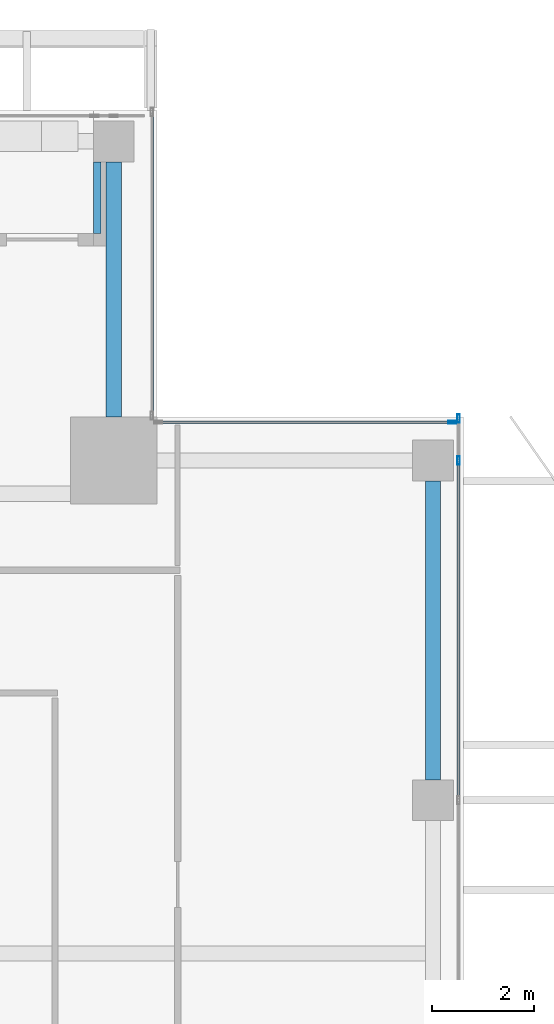
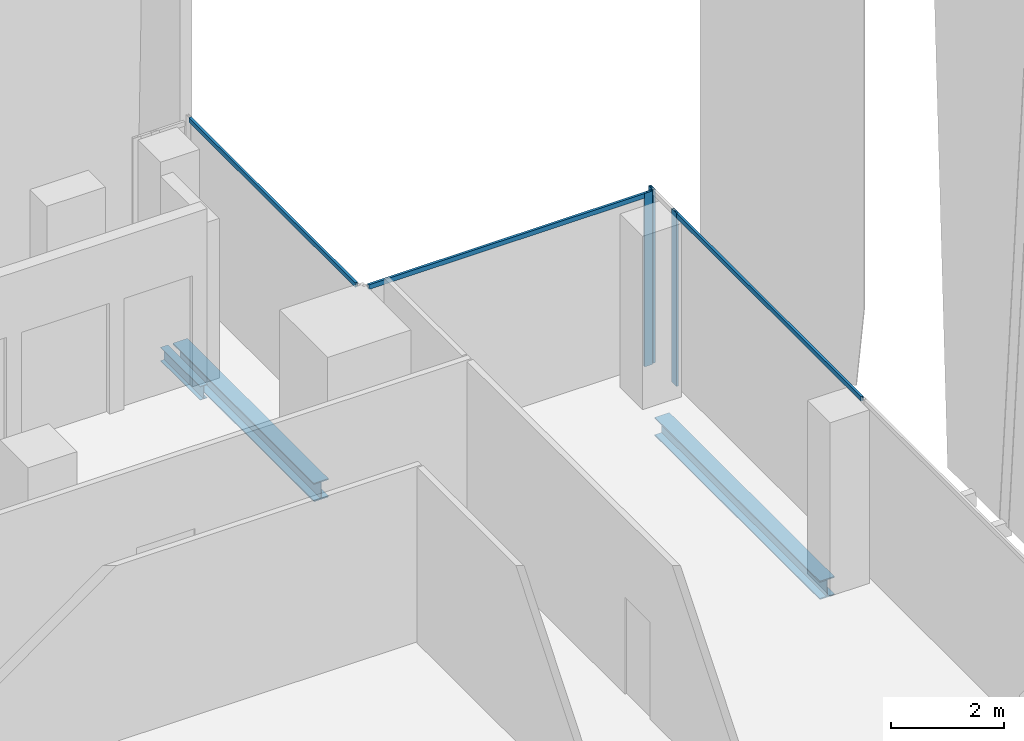
# One storey, part 18 of 32: 6 members, 3 beams, 3 elements without a shape of their own.
"""IFC4 building model written with IfcOpenShell, lengths in metres."""

from ifc_helpers import new_model, si_unit, direction, frame, origin, origin_2d, place, context, subcontext, project, spatial, hollow_rectangle, i_section, extrude, source, transform, mapped, material, material_profile, profile_set, type_object, element, aggregate, save


model = new_model("IFC4")

# Units and contexts
model_context = context("Model", 3, precision=1e-05, world=origin(), true_north=direction((0.0, 1.0)))
body_context = subcontext(model_context, "Body", "Model", "MODEL_VIEW")
ifc_project = project(units=[si_unit("LENGTHUNIT", "METRE"), si_unit("AREAUNIT", "SQUARE_METRE"), si_unit("VOLUMEUNIT", "CUBIC_METRE"), si_unit("PLANEANGLEUNIT", "RADIAN"), si_unit("MASSUNIT", "GRAM", prefix="KILO")], contexts=[model_context])

# Site, building, storey
site_placement = place(None, origin())
site = spatial("IfcSite", under=ifc_project, at=site_placement, CompositionType="ELEMENT")
building_placement = place(site_placement, origin())
building = spatial("IfcBuilding", under=site, at=building_placement, Name="Khomas Fold Tower", CompositionType="ELEMENT")
storey_placement = place(building_placement, frame((0.0, 0.0, 318.199951171875)))
storey = spatial("IfcBuildingStorey", under=building, at=storey_placement, Name="L72", CompositionType="ELEMENT", Elevation=318.199951171875)

# Beams
ifc_material_1 = material(Name="Steel S355", Category="steel")
ifc_material_profile_1 = material_profile(ifc_material_1, i_section(OverallWidth=0.300048828125, OverallDepth=0.39990234375, WebThickness=0.013427734375, FlangeThickness=0.02392578125, at=origin_2d()), Name="HE 400 B")
ifc_profile_set_1 = profile_set([ifc_material_profile_1], Name="Steel S355")
beam_type_1 = type_object("IfcBeamType", Name="HE 400 B spandrel SB5", PredefinedType="SPANDREL", material=ifc_profile_set_1)
shared_shape_1 = source(origin(), body_context, "Body", "SweptSolid", [
    extrude(i_section(OverallWidth=0.300048828125, OverallDepth=0.39990234375, WebThickness=0.013427734375, FlangeThickness=0.02392578125, at=origin_2d()), origin(), (0.0, 0.0, 1.0), 5.85009765625),
])
beam_1_placement = place(storey_placement, frame((47.39990234375, 34.89990234375, -0.449951171875), z_axis=(0.0, 1.0, 0.0), x_axis=(-1.0, 0.0, 0.0)))
element("IfcBeam", 1, at=beam_1_placement, inside=storey, type_object=beam_type_1, Name="SB5", PredefinedType="SPANDREL", context=body_context, shape_type="MappedRepresentation", body=[
    mapped(shared_shape_1, transform((0.0, 0.0, 0.0))),
])
shared_shape_2 = source(origin(), body_context, "Body", "SweptSolid", [
    extrude(i_section(OverallWidth=0.300048828125, OverallDepth=0.39990234375, WebThickness=0.013427734375, FlangeThickness=0.02392578125, at=origin_2d()), origin(), (0.0, 0.0, 1.0), 5.0),
])
beam_2_placement = place(storey_placement, frame((41.14990234375, 42.0, -0.449951171875), z_axis=(0.0, 1.0, 0.0), x_axis=(-1.0, 0.0, 0.0)))
element("IfcBeam", 2, at=beam_2_placement, inside=storey, type_object=beam_type_1, Name="SB5", PredefinedType="SPANDREL", context=body_context, shape_type="MappedRepresentation", body=[
    mapped(shared_shape_2, transform((0.0, 0.0, 0.0))),
])
ifc_material_2 = material(Name="Steel S355", Category="steel")
ifc_material_profile_2 = material_profile(ifc_material_2, i_section(OverallWidth=0.14990234375, OverallDepth=0.300048828125, WebThickness=0.007080078125, FlangeThickness=0.0107421875, at=origin_2d()), Name="IPE 300")
ifc_profile_set_2 = profile_set([ifc_material_profile_2], Name="Steel S355")
beam_type_2 = type_object("IfcBeamType", Name="IPE 300 beam BB2", PredefinedType="BEAM", material=ifc_profile_set_2)
shared_shape_3 = source(origin(), body_context, "Body", "SweptSolid", [
    extrude(i_section(OverallWidth=0.14990234375, OverallDepth=0.300048828125, WebThickness=0.007080078125, FlangeThickness=0.0107421875, at=origin_2d()), origin(), (0.0, 0.0, 1.0), 1.39990234375),
])
beam_3_placement = place(storey_placement, frame((40.824951171875, 45.60009765625, -0.39990234375), z_axis=(0.0, 1.0, 0.0), x_axis=(-1.0, 0.0, 0.0)))
element("IfcBeam", 3, at=beam_3_placement, inside=storey, type_object=beam_type_2, Name="BB2", PredefinedType="BEAM", context=body_context, shape_type="MappedRepresentation", body=[
    mapped(shared_shape_3, transform((0.0, 0.0, 0.0))),
])

# Curtain wall, members
ifc_material_3 = material(Name="Aluminium framed double glazing", Category="aluminium")
curtain_wall_type = type_object("IfcCurtainWallType", Name="SK-Unitised clear-glass wall, upper floors CW3", PredefinedType="NOTDEFINED", material=ifc_material_3)
curtain_wall_1_placement = place(storey_placement, origin())
curtain_wall_1 = element("IfcCurtainWall", 4, at=curtain_wall_1_placement, inside=storey, type_object=curtain_wall_type, Name="CW3 run L72 03-1", PredefinedType="NOTDEFINED")
ifc_material_4 = material(Name="Aluminium", Category="aluminium")
ifc_material_profile_3 = material_profile(ifc_material_4, hollow_rectangle(XDim=0.050048828125, YDim=0.159912109375, WallThickness=0.00390625, at=origin_2d()), Name="SK-Unitised clear-glass wall, upper floors mullion CW3-M")
ifc_profile_set_3 = profile_set([ifc_material_profile_3], Name="Aluminium")
member_type_1 = type_object("IfcMemberType", Name="SK-Unitised clear-glass wall, upper floors mullion CW3-M", PredefinedType="MULLION", material=ifc_profile_set_3)
shared_shape_4 = source(origin(), body_context, "Body", "SweptSolid", [
    extrude(hollow_rectangle(XDim=0.050048828125, YDim=0.159912109375, WallThickness=0.00390625, at=origin_2d()), origin(), (0.0, 0.0, 1.0), 3.75),
])
member_1_placement = place(storey_placement, frame((47.89990234375, 41.14990234375, 0.0), z_axis=(0.0, 0.0, 1.0), x_axis=(-1.0, 0.0, 0.0)))
member_1 = element("IfcMember", 5, at=member_1_placement, type_object=member_type_1, Name="CW3 mullion 4", PredefinedType="MULLION", context=body_context, shape_type="MappedRepresentation", body=[
    mapped(shared_shape_4, transform((0.0, 0.0, 0.0))),
])
member_2_placement = place(storey_placement, frame((47.89990234375, 41.97509765625, 0.0), z_axis=(0.0, 0.0, 1.0), x_axis=(-1.0, 0.0, 0.0)))
member_2 = element("IfcMember", 6, at=member_2_placement, type_object=member_type_1, Name="CW3 mullion 5", PredefinedType="MULLION", context=body_context, shape_type="MappedRepresentation", body=[
    mapped(shared_shape_4, transform((0.0, 0.0, 0.0))),
])

# Curtain wall, member
curtain_wall_2_placement = place(storey_placement, origin())
curtain_wall_2 = element("IfcCurtainWall", 7, at=curtain_wall_2_placement, inside=storey, type_object=curtain_wall_type, Name="CW3 corner return L72 04", PredefinedType="NOTDEFINED")
member_3_placement = place(storey_placement, frame((47.77490234375, 41.89990234375, 0.0), z_axis=(0.0, 0.0, 1.0), x_axis=(0.0, -1.0, 0.0)))
member_3 = element("IfcMember", 8, at=member_3_placement, type_object=member_type_1, Name="CW3 mullion 1", PredefinedType="MULLION", context=body_context, shape_type="MappedRepresentation", body=[
    mapped(shared_shape_4, transform((0.0, 0.0, 0.0))),
])

# Member
ifc_material_5 = material(Name="Aluminium", Category="aluminium")
ifc_material_profile_4 = material_profile(ifc_material_5, hollow_rectangle(XDim=0.050048828125, YDim=0.10009765625, WallThickness=0.00390625, at=origin_2d()), Name="SK-Unitised clear-glass wall, upper floors transom CW3-T")
ifc_profile_set_4 = profile_set([ifc_material_profile_4], Name="Aluminium")
member_type_2 = type_object("IfcMemberType", Name="SK-Unitised clear-glass wall, upper floors transom CW3-T", PredefinedType="USERDEFINED", material=ifc_profile_set_4)
shared_shape_5 = source(origin(), body_context, "Body", "SweptSolid", [
    extrude(hollow_rectangle(XDim=0.050048828125, YDim=0.10009765625, WallThickness=0.00390625, at=origin_2d()), origin(), (0.0, 0.0, 1.0), 6.60009765625),
])
member_4_placement = place(storey_placement, frame((47.89990234375, 34.52490234375, 3.699951171875), z_axis=(0.0, 1.0, 0.0), x_axis=(-1.0, 0.0, 0.0)))
member_4 = element("IfcMember", 9, at=member_4_placement, type_object=member_type_2, Name="CW3 transom 3", ObjectType="TRANSOM", PredefinedType="USERDEFINED", context=body_context, shape_type="MappedRepresentation", body=[
    mapped(shared_shape_5, transform((0.0, 0.0, 0.0))),
])

aggregate(curtain_wall_1, [member_1, member_2, member_4])

shared_shape_6 = source(origin(), body_context, "Body", "SweptSolid", [
    extrude(hollow_rectangle(XDim=0.050048828125, YDim=0.10009765625, WallThickness=0.00390625, at=origin_2d()), origin(), (0.0, 0.0, 1.0), 5.699951171875),
])
member_5_placement = place(storey_placement, frame((47.75, 41.89990234375, 3.699951171875), z_axis=(-1.0, 0.0, 0.0), x_axis=(0.0, -1.0, 0.0)))
member_5 = element("IfcMember", 10, at=member_5_placement, type_object=member_type_2, Name="CW3 transom 1", ObjectType="TRANSOM", PredefinedType="USERDEFINED", context=body_context, shape_type="MappedRepresentation", body=[
    mapped(shared_shape_6, transform((0.0, 0.0, 0.0))),
])

aggregate(curtain_wall_2, [member_3, member_5])

# Curtain wall, member
curtain_wall_3_placement = place(storey_placement, origin())
curtain_wall_3 = element("IfcCurtainWall", 11, at=curtain_wall_3_placement, inside=storey, type_object=curtain_wall_type, Name="CW3 corner return L72 05", PredefinedType="NOTDEFINED")
shared_shape_7 = source(origin(), body_context, "Body", "SweptSolid", [
    extrude(hollow_rectangle(XDim=0.050048828125, YDim=0.10009765625, WallThickness=0.00390625, at=origin_2d()), origin(), (0.0, 0.0, 1.0), 5.89990234375),
])
member_6_placement = place(storey_placement, frame((41.89990234375, 42.050048828125, 3.699951171875), z_axis=(0.0, 1.0, 0.0), x_axis=(-1.0, 0.0, 0.0)))
member_6 = element("IfcMember", 12, at=member_6_placement, type_object=member_type_2, Name="CW3 transom 1", ObjectType="TRANSOM", PredefinedType="USERDEFINED", context=body_context, shape_type="MappedRepresentation", body=[
    mapped(shared_shape_7, transform((0.0, 0.0, 0.0))),
])
aggregate(curtain_wall_3, [member_6])

save(model, "model.ifc")
